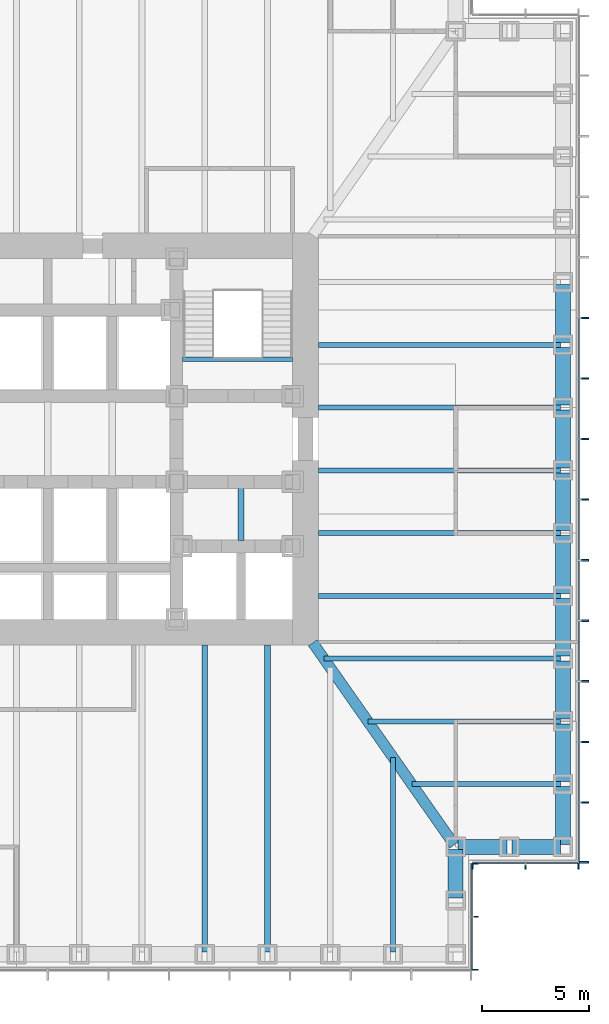
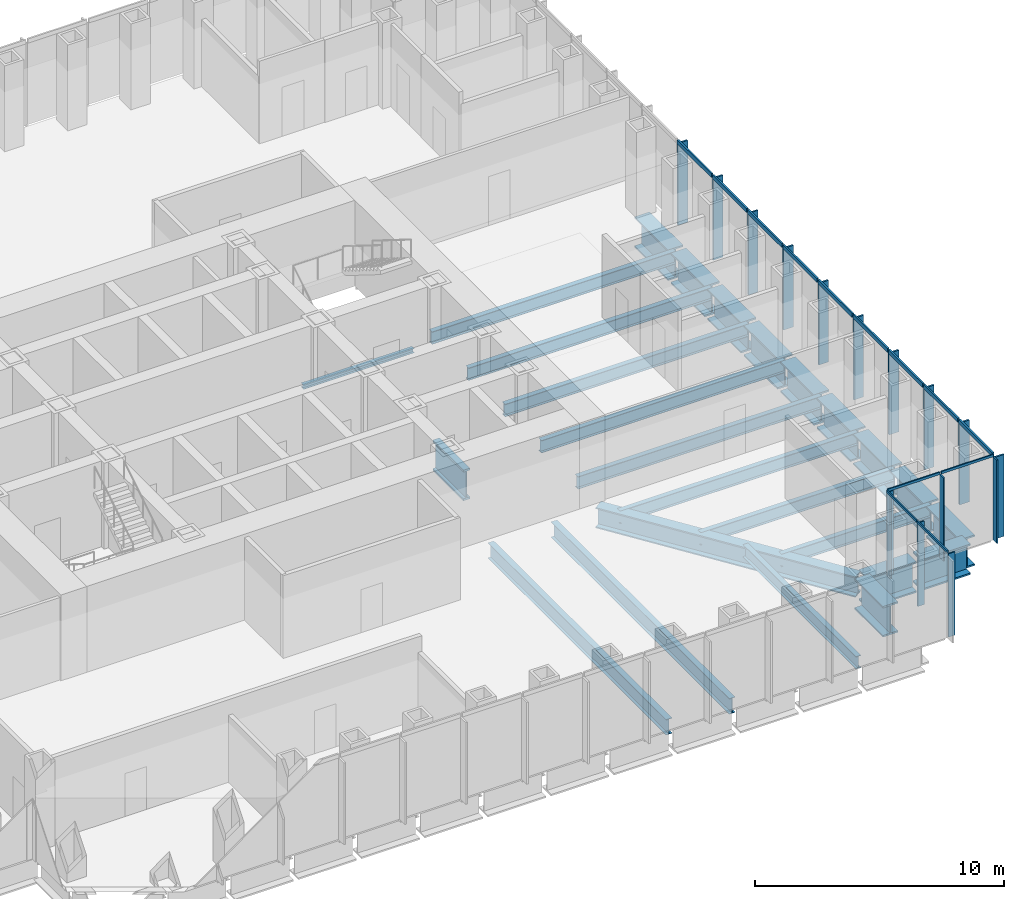
# One storey, part 4 of 17: 29 members, 26 beams, 3 elements without a shape of their own.
"""IFC4 building model written with IfcOpenShell, lengths in metres."""

from ifc_helpers import new_model, si_unit, direction, frame, origin, origin_2d, place, context, subcontext, project, spatial, rectangle, i_section, extrude, material, material_profile, profile_set, type_object, element, aggregate, save


model = new_model("IFC4")

# Units and contexts
model_context = context("Model", 3, precision=1e-05, world=origin(), true_north=direction((0.0, 1.0)))
body_context = subcontext(model_context, "Body", "Model", "MODEL_VIEW")
ifc_project = project(units=[si_unit("LENGTHUNIT", "METRE"), si_unit("AREAUNIT", "SQUARE_METRE"), si_unit("VOLUMEUNIT", "CUBIC_METRE"), si_unit("PLANEANGLEUNIT", "RADIAN"), si_unit("MASSUNIT", "GRAM", prefix="KILO")], contexts=[model_context])

# Site, building, storey
site_placement = place(None, origin())
site = spatial("IfcSite", under=ifc_project, at=site_placement, CompositionType="ELEMENT")
building_placement = place(site_placement, origin())
building = spatial("IfcBuilding", under=site, at=building_placement, Name="Daluyong Arena Tower", CompositionType="ELEMENT")
storey_placement = place(building_placement, frame((0.0, 0.0, 60.10009765625)))
storey = spatial("IfcBuildingStorey", under=building, at=storey_placement, Name="L12", CompositionType="ELEMENT", Elevation=60.10009765625)

# Curtain wall, members
ifc_material_1 = material(Name="Bronze anodised aluminium and glass", Category="aluminium")
curtain_wall_type_1 = type_object("IfcCurtainWallType", Name="Curtain wall CW1", PredefinedType="USERDEFINED", material=ifc_material_1)
curtain_wall_1_placement = place(storey_placement, origin())
curtain_wall_1 = element("IfcCurtainWall", 1, at=curtain_wall_1_placement, inside=storey, type_object=curtain_wall_type_1, Name="curtain wall L12 E", ObjectType="UNITISED CURTAIN WALL", PredefinedType="USERDEFINED")
ifc_material_2 = material(Name="Bronze anodised aluminium fin", Category="aluminium")
ifc_material_profile_1 = material_profile(ifc_material_2, rectangle(XDim=0.449951171875, YDim=0.080078125, at=origin_2d()))
ifc_profile_set_1 = profile_set([ifc_material_profile_1], Name="Bronze anodised aluminium fin")
member_type_1 = type_object("IfcMemberType", Name="CW1 bronze fin 450x80", PredefinedType="MULLION", material=ifc_profile_set_1)
member_1_placement = place(storey_placement, frame((80.97509765625, 60.2900390625, 0.0), z_axis=(0.0, 0.0, 1.0), x_axis=(-1.0, 0.0, 0.0)))
member_1 = element("IfcMember", 2, at=member_1_placement, type_object=member_type_1, Name="curtain wall L12 E fin 1", PredefinedType="MULLION", context=body_context, shape_type="SweptSolid", body=[
    extrude(rectangle(XDim=0.449951171875, YDim=0.080078125, at=origin_2d()), origin(), (0.0, 0.0, 1.0), 4.0),
])
member_2_placement = place(storey_placement, frame((80.97509765625, 63.071533203125, 0.0), z_axis=(0.0, 0.0, 1.0), x_axis=(-1.0, 0.0, 0.0)))
member_2 = element("IfcMember", 3, at=member_2_placement, type_object=member_type_1, Name="curtain wall L12 E fin 2", PredefinedType="MULLION", context=body_context, shape_type="SweptSolid", body=[
    extrude(rectangle(XDim=0.449951171875, YDim=0.080078125, at=origin_2d()), origin(), (0.0, 0.0, 1.0), 4.0),
])
member_3_placement = place(storey_placement, frame((80.97509765625, 65.892822265625, 0.0), z_axis=(0.0, 0.0, 1.0), x_axis=(-1.0, 0.0, 0.0)))
member_3 = element("IfcMember", 4, at=member_3_placement, type_object=member_type_1, Name="curtain wall L12 E fin 3", PredefinedType="MULLION", context=body_context, shape_type="SweptSolid", body=[
    extrude(rectangle(XDim=0.449951171875, YDim=0.080078125, at=origin_2d()), origin(), (0.0, 0.0, 1.0), 4.0),
])
member_4_placement = place(storey_placement, frame((80.97509765625, 68.71435546875, 0.0), z_axis=(0.0, 0.0, 1.0), x_axis=(-1.0, 0.0, 0.0)))
member_4 = element("IfcMember", 5, at=member_4_placement, type_object=member_type_1, Name="curtain wall L12 E fin 4", PredefinedType="MULLION", context=body_context, shape_type="SweptSolid", body=[
    extrude(rectangle(XDim=0.449951171875, YDim=0.080078125, at=origin_2d()), origin(), (0.0, 0.0, 1.0), 4.0),
])
member_5_placement = place(storey_placement, frame((80.97509765625, 71.53564453125, 0.0), z_axis=(0.0, 0.0, 1.0), x_axis=(-1.0, 0.0, 0.0)))
member_5 = element("IfcMember", 6, at=member_5_placement, type_object=member_type_1, Name="curtain wall L12 E fin 5", PredefinedType="MULLION", context=body_context, shape_type="SweptSolid", body=[
    extrude(rectangle(XDim=0.449951171875, YDim=0.080078125, at=origin_2d()), origin(), (0.0, 0.0, 1.0), 4.0),
])
member_6_placement = place(storey_placement, frame((80.97509765625, 74.357177734375, 0.0), z_axis=(0.0, 0.0, 1.0), x_axis=(-1.0, 0.0, 0.0)))
member_6 = element("IfcMember", 7, at=member_6_placement, type_object=member_type_1, Name="curtain wall L12 E fin 6", PredefinedType="MULLION", context=body_context, shape_type="SweptSolid", body=[
    extrude(rectangle(XDim=0.449951171875, YDim=0.080078125, at=origin_2d()), origin(), (0.0, 0.0, 1.0), 4.0),
])
member_7_placement = place(storey_placement, frame((80.97509765625, 77.178466796875, 0.0), z_axis=(0.0, 0.0, 1.0), x_axis=(-1.0, 0.0, 0.0)))
member_7 = element("IfcMember", 8, at=member_7_placement, type_object=member_type_1, Name="curtain wall L12 E fin 7", PredefinedType="MULLION", context=body_context, shape_type="SweptSolid", body=[
    extrude(rectangle(XDim=0.449951171875, YDim=0.080078125, at=origin_2d()), origin(), (0.0, 0.0, 1.0), 4.0),
])
member_8_placement = place(storey_placement, frame((80.97509765625, 80.0, 0.0), z_axis=(0.0, 0.0, 1.0), x_axis=(-1.0, 0.0, 0.0)))
member_8 = element("IfcMember", 9, at=member_8_placement, type_object=member_type_1, Name="curtain wall L12 E fin 8", PredefinedType="MULLION", context=body_context, shape_type="SweptSolid", body=[
    extrude(rectangle(XDim=0.449951171875, YDim=0.080078125, at=origin_2d()), origin(), (0.0, 0.0, 1.0), 4.0),
])
member_9_placement = place(storey_placement, frame((80.97509765625, 82.821533203125, 0.0), z_axis=(0.0, 0.0, 1.0), x_axis=(-1.0, 0.0, 0.0)))
member_9 = element("IfcMember", 10, at=member_9_placement, type_object=member_type_1, Name="curtain wall L12 E fin 9", PredefinedType="MULLION", context=body_context, shape_type="SweptSolid", body=[
    extrude(rectangle(XDim=0.449951171875, YDim=0.080078125, at=origin_2d()), origin(), (0.0, 0.0, 1.0), 4.0),
])
member_10_placement = place(storey_placement, frame((80.97509765625, 85.642822265625, 0.0), z_axis=(0.0, 0.0, 1.0), x_axis=(-1.0, 0.0, 0.0)))
member_10 = element("IfcMember", 11, at=member_10_placement, type_object=member_type_1, Name="curtain wall L12 E fin 10", PredefinedType="MULLION", context=body_context, shape_type="SweptSolid", body=[
    extrude(rectangle(XDim=0.449951171875, YDim=0.080078125, at=origin_2d()), origin(), (0.0, 0.0, 1.0), 4.0),
])
ifc_material_3 = material(Name="Bronze anodised aluminium", Category="aluminium")
ifc_material_profile_2 = material_profile(ifc_material_3, rectangle(XDim=0.080078125, YDim=0.199951171875, at=origin_2d()))
ifc_profile_set_2 = profile_set([ifc_material_profile_2], Name="Bronze anodised aluminium")
member_type_2 = type_object("IfcMemberType", Name="CW1 stack transom 200x80", PredefinedType="USERDEFINED", material=ifc_profile_set_2)
member_11_placement = place(storey_placement, frame((80.75, 60.330078125, 4.099853515625), z_axis=(0.0, 1.0, 0.0), x_axis=(-1.0, 0.0, 0.0)))
member_11 = element("IfcMember", 12, at=member_11_placement, type_object=member_type_2, Name="curtain wall L12 E transom 1", ObjectType="TRANSOM", PredefinedType="USERDEFINED", context=body_context, shape_type="SweptSolid", body=[
    extrude(rectangle(XDim=0.080078125, YDim=0.199951171875, at=origin_2d()), origin(), (0.0, 0.0, 1.0), 2.701416015625),
])
member_12_placement = place(storey_placement, frame((80.75, 63.111328125, 4.099853515625), z_axis=(0.0, 1.0, 0.0), x_axis=(-1.0, 0.0, 0.0)))
member_12 = element("IfcMember", 13, at=member_12_placement, type_object=member_type_2, Name="curtain wall L12 E transom 2", ObjectType="TRANSOM", PredefinedType="USERDEFINED", context=body_context, shape_type="SweptSolid", body=[
    extrude(rectangle(XDim=0.080078125, YDim=0.199951171875, at=origin_2d()), origin(), (0.0, 0.0, 1.0), 2.741455078125),
])
member_13_placement = place(storey_placement, frame((80.75, 65.932861328125, 4.099853515625), z_axis=(0.0, 1.0, 0.0), x_axis=(-1.0, 0.0, 0.0)))
member_13 = element("IfcMember", 14, at=member_13_placement, type_object=member_type_2, Name="curtain wall L12 E transom 3", ObjectType="TRANSOM", PredefinedType="USERDEFINED", context=body_context, shape_type="SweptSolid", body=[
    extrude(rectangle(XDim=0.080078125, YDim=0.199951171875, at=origin_2d()), origin(), (0.0, 0.0, 1.0), 2.741455078125),
])
member_14_placement = place(storey_placement, frame((80.75, 68.75439453125, 4.099853515625), z_axis=(0.0, 1.0, 0.0), x_axis=(-1.0, 0.0, 0.0)))
member_14 = element("IfcMember", 15, at=member_14_placement, type_object=member_type_2, Name="curtain wall L12 E transom 4", ObjectType="TRANSOM", PredefinedType="USERDEFINED", context=body_context, shape_type="SweptSolid", body=[
    extrude(rectangle(XDim=0.080078125, YDim=0.199951171875, at=origin_2d()), origin(), (0.0, 0.0, 1.0), 2.7412109375),
])
member_15_placement = place(storey_placement, frame((80.75, 71.57568359375, 4.099853515625), z_axis=(0.0, 1.0, 0.0), x_axis=(-1.0, 0.0, 0.0)))
member_15 = element("IfcMember", 16, at=member_15_placement, type_object=member_type_2, Name="curtain wall L12 E transom 5", ObjectType="TRANSOM", PredefinedType="USERDEFINED", context=body_context, shape_type="SweptSolid", body=[
    extrude(rectangle(XDim=0.080078125, YDim=0.199951171875, at=origin_2d()), origin(), (0.0, 0.0, 1.0), 2.741455078125),
])
member_16_placement = place(storey_placement, frame((80.75, 74.397216796875, 4.099853515625), z_axis=(0.0, 1.0, 0.0), x_axis=(-1.0, 0.0, 0.0)))
member_16 = element("IfcMember", 17, at=member_16_placement, type_object=member_type_2, Name="curtain wall L12 E transom 6", ObjectType="TRANSOM", PredefinedType="USERDEFINED", context=body_context, shape_type="SweptSolid", body=[
    extrude(rectangle(XDim=0.080078125, YDim=0.199951171875, at=origin_2d()), origin(), (0.0, 0.0, 1.0), 2.741455078125),
])
member_17_placement = place(storey_placement, frame((80.75, 77.218505859375, 4.099853515625), z_axis=(0.0, 1.0, 0.0), x_axis=(-1.0, 0.0, 0.0)))
member_17 = element("IfcMember", 18, at=member_17_placement, type_object=member_type_2, Name="curtain wall L12 E transom 7", ObjectType="TRANSOM", PredefinedType="USERDEFINED", context=body_context, shape_type="SweptSolid", body=[
    extrude(rectangle(XDim=0.080078125, YDim=0.199951171875, at=origin_2d()), origin(), (0.0, 0.0, 1.0), 2.741455078125),
])
member_18_placement = place(storey_placement, frame((80.75, 80.0400390625, 4.099853515625), z_axis=(0.0, 1.0, 0.0), x_axis=(-1.0, 0.0, 0.0)))
member_18 = element("IfcMember", 19, at=member_18_placement, type_object=member_type_2, Name="curtain wall L12 E transom 8", ObjectType="TRANSOM", PredefinedType="USERDEFINED", context=body_context, shape_type="SweptSolid", body=[
    extrude(rectangle(XDim=0.080078125, YDim=0.199951171875, at=origin_2d()), origin(), (0.0, 0.0, 1.0), 2.741455078125),
])
member_19_placement = place(storey_placement, frame((80.75, 82.861328125, 4.099853515625), z_axis=(0.0, 1.0, 0.0), x_axis=(-1.0, 0.0, 0.0)))
member_19 = element("IfcMember", 20, at=member_19_placement, type_object=member_type_2, Name="curtain wall L12 E transom 9", ObjectType="TRANSOM", PredefinedType="USERDEFINED", context=body_context, shape_type="SweptSolid", body=[
    extrude(rectangle(XDim=0.080078125, YDim=0.199951171875, at=origin_2d()), origin(), (0.0, 0.0, 1.0), 2.741455078125),
])
aggregate(curtain_wall_1, [member_1, member_2, member_3, member_4, member_5, member_6, member_7, member_8, member_9, member_10, member_11, member_12, member_13, member_14, member_15, member_16, member_17, member_18, member_19])

ifc_material_4 = material(Name="Bronze anodised aluminium and glass", Category="aluminium")
curtain_wall_type_2 = type_object("IfcCurtainWallType", Name="Curtain wall CW7", PredefinedType="USERDEFINED", material=ifc_material_4)
curtain_wall_2_placement = place(storey_placement, origin())
curtain_wall_2 = element("IfcCurtainWall", 21, at=curtain_wall_2_placement, inside=storey, type_object=curtain_wall_type_2, Name="curtain wall L12 SE-E", ObjectType="UNITISED CURTAIN WALL", PredefinedType="USERDEFINED")
ifc_material_5 = material(Name="Bronze anodised aluminium fin", Category="aluminium")
ifc_material_profile_3 = material_profile(ifc_material_5, rectangle(XDim=0.300048828125, YDim=0.06005859375, at=origin_2d()))
ifc_profile_set_3 = profile_set([ifc_material_profile_3], Name="Bronze anodised aluminium fin")
member_type_3 = type_object("IfcMemberType", Name="CW7 bronze fin 300x60", PredefinedType="MULLION", material=ifc_profile_set_3)
member_20_placement = place(storey_placement, frame((75.89990234375, 55.280029296875, 0.0), z_axis=(0.0, 0.0, 1.0), x_axis=(-1.0, 0.0, 0.0)))
member_20 = element("IfcMember", 22, at=member_20_placement, type_object=member_type_3, Name="curtain wall L12 SE-E fin 1", PredefinedType="MULLION", context=body_context, shape_type="SweptSolid", body=[
    extrude(rectangle(XDim=0.300048828125, YDim=0.06005859375, at=origin_2d()), origin(), (0.0, 0.0, 1.0), 4.079833984375),
])
member_21_placement = place(storey_placement, frame((75.89990234375, 57.75, 0.0), z_axis=(0.0, 0.0, 1.0), x_axis=(-1.0, 0.0, 0.0)))
member_21 = element("IfcMember", 23, at=member_21_placement, type_object=member_type_3, Name="curtain wall L12 SE-E fin 2", PredefinedType="MULLION", context=body_context, shape_type="SweptSolid", body=[
    extrude(rectangle(XDim=0.300048828125, YDim=0.06005859375, at=origin_2d()), origin(), (0.0, 0.0, 1.0), 4.079833984375),
])
member_22_placement = place(storey_placement, frame((75.89990234375, 60.219970703125, 0.0), z_axis=(0.0, 0.0, 1.0), x_axis=(-1.0, 0.0, 0.0)))
member_22 = element("IfcMember", 24, at=member_22_placement, type_object=member_type_3, Name="curtain wall L12 SE-E fin 3", PredefinedType="MULLION", context=body_context, shape_type="SweptSolid", body=[
    extrude(rectangle(XDim=0.300048828125, YDim=0.06005859375, at=origin_2d()), origin(), (0.0, 0.0, 1.0), 4.079833984375),
])

curtain_wall_3_placement = place(storey_placement, origin())
curtain_wall_3 = element("IfcCurtainWall", 25, at=curtain_wall_3_placement, inside=storey, type_object=curtain_wall_type_2, Name="curtain wall L12 SE-S", ObjectType="UNITISED CURTAIN WALL", PredefinedType="USERDEFINED")
member_23_placement = place(storey_placement, frame((75.780029296875, 60.10009765625, 0.0), z_axis=(0.0, 0.0, 1.0), x_axis=(0.0, 1.0, 0.0)))
member_23 = element("IfcMember", 26, at=member_23_placement, type_object=member_type_3, Name="curtain wall L12 SE-S fin 1", PredefinedType="MULLION", context=body_context, shape_type="SweptSolid", body=[
    extrude(rectangle(XDim=0.300048828125, YDim=0.06005859375, at=origin_2d()), origin(), (0.0, 0.0, 1.0), 4.079833984375),
])
member_24_placement = place(storey_placement, frame((78.25, 60.10009765625, 0.0), z_axis=(0.0, 0.0, 1.0), x_axis=(0.0, 1.0, 0.0)))
member_24 = element("IfcMember", 27, at=member_24_placement, type_object=member_type_3, Name="curtain wall L12 SE-S fin 2", PredefinedType="MULLION", context=body_context, shape_type="SweptSolid", body=[
    extrude(rectangle(XDim=0.300048828125, YDim=0.06005859375, at=origin_2d()), origin(), (0.0, 0.0, 1.0), 4.079833984375),
])
member_25_placement = place(storey_placement, frame((80.719970703125, 60.10009765625, 0.0), z_axis=(0.0, 0.0, 1.0), x_axis=(0.0, 1.0, 0.0)))
member_25 = element("IfcMember", 28, at=member_25_placement, type_object=member_type_3, Name="curtain wall L12 SE-S fin 3", PredefinedType="MULLION", context=body_context, shape_type="SweptSolid", body=[
    extrude(rectangle(XDim=0.300048828125, YDim=0.06005859375, at=origin_2d()), origin(), (0.0, 0.0, 1.0), 4.079833984375),
])

# Member
ifc_material_6 = material(Name="Bronze anodised aluminium", Category="aluminium")
ifc_material_profile_4 = material_profile(ifc_material_6, rectangle(XDim=0.06005859375, YDim=0.1201171875, at=origin_2d()))
ifc_profile_set_4 = profile_set([ifc_material_profile_4], Name="Bronze anodised aluminium")
member_type_4 = type_object("IfcMemberType", Name="CW7 stack transom 120x60", PredefinedType="USERDEFINED", material=ifc_profile_set_4)
member_26_placement = place(storey_placement, frame((75.75, 55.31005859375, 4.139892578125), z_axis=(0.0, 1.0, 0.0), x_axis=(-1.0, 0.0, 0.0)))
member_26 = element("IfcMember", 29, at=member_26_placement, type_object=member_type_4, Name="curtain wall L12 SE-E transom 1", ObjectType="TRANSOM", PredefinedType="USERDEFINED", context=body_context, shape_type="SweptSolid", body=[
    extrude(rectangle(XDim=0.06005859375, YDim=0.1201171875, at=origin_2d()), origin(), (0.0, 0.0, 1.0), 2.409912109375),
])

member_27_placement = place(storey_placement, frame((75.75, 57.780029296875, 4.139892578125), z_axis=(0.0, 1.0, 0.0), x_axis=(-1.0, 0.0, 0.0)))
member_27 = element("IfcMember", 30, at=member_27_placement, type_object=member_type_4, Name="curtain wall L12 SE-E transom 2", ObjectType="TRANSOM", PredefinedType="USERDEFINED", context=body_context, shape_type="SweptSolid", body=[
    extrude(rectangle(XDim=0.06005859375, YDim=0.1201171875, at=origin_2d()), origin(), (0.0, 0.0, 1.0), 2.409912109375),
])

aggregate(curtain_wall_2, [member_20, member_21, member_22, member_26, member_27])

member_28_placement = place(storey_placement, frame((75.81005859375, 60.25, 4.139892578125), z_axis=(1.0, 0.0, 0.0), x_axis=(0.0, 1.0, 0.0)))
member_28 = element("IfcMember", 31, at=member_28_placement, type_object=member_type_4, Name="curtain wall L12 SE-S transom 1", ObjectType="TRANSOM", PredefinedType="USERDEFINED", context=body_context, shape_type="SweptSolid", body=[
    extrude(rectangle(XDim=0.06005859375, YDim=0.1201171875, at=origin_2d()), origin(), (0.0, 0.0, 1.0), 2.409912109375),
])

member_29_placement = place(storey_placement, frame((78.280029296875, 60.25, 4.139892578125), z_axis=(1.0, 0.0, 0.0), x_axis=(0.0, 1.0, 0.0)))
member_29 = element("IfcMember", 32, at=member_29_placement, type_object=member_type_4, Name="curtain wall L12 SE-S transom 2", ObjectType="TRANSOM", PredefinedType="USERDEFINED", context=body_context, shape_type="SweptSolid", body=[
    extrude(rectangle(XDim=0.06005859375, YDim=0.1201171875, at=origin_2d()), origin(), (0.0, 0.0, 1.0), 2.409912109375),
])

aggregate(curtain_wall_3, [member_23, member_24, member_25, member_28, member_29])

# Beams
ifc_material_7 = material(Name="Steel ASTM A572 Grade 50", Category="steel")
ifc_material_profile_5 = material_profile(ifc_material_7, i_section(OverallWidth=0.5, OverallDepth=1.0, WebThickness=0.03, FlangeThickness=0.06, at=origin_2d()))
ifc_profile_set_5 = profile_set([ifc_material_profile_5], Name="Steel ASTM A572 Grade 50")
beam_type_1 = type_object("IfcBeamType", Name="Corner girder TB1000X500", PredefinedType="BEAM", material=ifc_profile_set_5)
beam_1_placement = place(storey_placement, frame((74.93408203125, 61.09423828125, -0.66015625), z_axis=(-0.573466621875, 0.819228926244, 0.0), x_axis=(-0.819228926244, -0.573466621875, 0.0)))
element("IfcBeam", 33, at=beam_1_placement, inside=storey, type_object=beam_type_1, Name="corner girder DG2", PredefinedType="BEAM", context=body_context, shape_type="SweptSolid", body=[
    extrude(i_section(OverallWidth=0.5, OverallDepth=1.0, WebThickness=0.03, FlangeThickness=0.06, at=origin_2d()), origin(), (0.0, 0.0, 1.0), 11.49169921875),
])
ifc_material_8 = material(Name="Steel ASTM A992 Grade 50", Category="steel")
ifc_material_profile_6 = material_profile(ifc_material_8, i_section(OverallWidth=0.22900390625, OverallDepth=0.612060546875, WebThickness=0.011962890625, FlangeThickness=0.01953125, at=origin_2d()))
ifc_profile_set_6 = profile_set([ifc_material_profile_6], Name="Steel ASTM A992 Grade 50")
beam_type_2 = type_object("IfcBeamType", Name="Floor beam W24X84", PredefinedType="BEAM", material=ifc_profile_set_6)
beam_2_placement = place(storey_placement, frame((72.076904296875, 56.114990234375, -0.466064453125), z_axis=(0.0, 1.0, 0.0), x_axis=(-1.0, 0.0, 0.0)))
element("IfcBeam", 34, at=beam_2_placement, inside=storey, type_object=beam_type_2, Name="floor beam FB3", PredefinedType="BEAM", context=body_context, shape_type="SweptSolid", body=[
    extrude(i_section(OverallWidth=0.22900390625, OverallDepth=0.612060546875, WebThickness=0.011962890625, FlangeThickness=0.01953125, at=origin_2d()), origin(), (0.0, 0.0, 1.0), 9.060791015625),
])
beam_3_placement = place(storey_placement, frame((79.885009765625, 63.923095703125, -0.466064453125), z_axis=(-1.0, 0.0, 0.0), x_axis=(0.0, -1.0, 0.0)))
element("IfcBeam", 35, at=beam_3_placement, inside=storey, type_object=beam_type_2, Name="floor beam FB3", PredefinedType="BEAM", context=body_context, shape_type="SweptSolid", body=[
    extrude(i_section(OverallWidth=0.22900390625, OverallDepth=0.612060546875, WebThickness=0.011962890625, FlangeThickness=0.01953125, at=origin_2d()), origin(), (0.0, 0.0, 1.0), 6.93115234375),
])
beam_4_placement = place(storey_placement, frame((79.885009765625, 66.84619140625, -0.466064453125), z_axis=(-1.0, 0.0, 0.0), x_axis=(0.0, -1.0, 0.0)))
element("IfcBeam", 36, at=beam_4_placement, inside=storey, type_object=beam_type_2, Name="floor beam FB3", PredefinedType="BEAM", context=body_context, shape_type="SweptSolid", body=[
    extrude(i_section(OverallWidth=0.22900390625, OverallDepth=0.612060546875, WebThickness=0.011962890625, FlangeThickness=0.01953125, at=origin_2d()), origin(), (0.0, 0.0, 1.0), 8.977294921875),
])
beam_5_placement = place(storey_placement, frame((79.885009765625, 69.769287109375, -0.466064453125), z_axis=(-1.0, 0.0, 0.0), x_axis=(0.0, -1.0, 0.0)))
element("IfcBeam", 37, at=beam_5_placement, inside=storey, type_object=beam_type_2, Name="floor beam FB3", PredefinedType="BEAM", context=body_context, shape_type="SweptSolid", body=[
    extrude(i_section(OverallWidth=0.22900390625, OverallDepth=0.612060546875, WebThickness=0.011962890625, FlangeThickness=0.01953125, at=origin_2d()), origin(), (0.0, 0.0, 1.0), 11.0234375),
])
for number, where, z_axis, x_axis, name in (
    (38, (79.885009765625, 72.6923828125, -0.466064453125), (-1.0, 0.0, 0.0), (0.0, -1.0, 0.0), "floor beam FB3"),
    (39, (79.885009765625, 75.615478515625, -0.466064453125), (-1.0, 0.0, 0.0), (0.0, -1.0, 0.0), "floor beam FB3"),
    (40, (79.885009765625, 78.53857421875, -0.466064453125), (-1.0, 0.0, 0.0), (0.0, -1.0, 0.0), "floor beam FB3"),
    (41, (79.885009765625, 81.46142578125, -0.466064453125), (-1.0, 0.0, 0.0), (0.0, -1.0, 0.0), "floor beam FB3"),
    (42, (79.885009765625, 84.384521484375, -0.466064453125), (-1.0, 0.0, 0.0), (0.0, -1.0, 0.0), "floor beam FB3"),
):
    element("IfcBeam", number, at=place(storey_placement, frame(where, z_axis=z_axis, x_axis=x_axis)), inside=storey, type_object=beam_type_2, Name=name, PredefinedType="BEAM", context=body_context, shape_type="SweptSolid", body=[
        extrude(i_section(OverallWidth=0.22900390625, OverallDepth=0.612060546875, WebThickness=0.011962890625, FlangeThickness=0.01953125, at=origin_2d()), origin(), (0.0, 0.0, 1.0), 11.284912109375),
    ])
ifc_material_9 = material(Name="Steel ASTM A992 Grade 50", Category="steel")
ifc_material_profile_7 = material_profile(ifc_material_9, i_section(OverallWidth=0.2666015625, OverallDepth=0.761962890625, WebThickness=0.014404296875, FlangeThickness=0.021484375, at=origin_2d()))
ifc_profile_set_7 = profile_set([ifc_material_profile_7], Name="Steel ASTM A992 Grade 50")
beam_type_3 = type_object("IfcBeamType", Name="Floor beam W30X116", PredefinedType="BEAM", material=ifc_profile_set_7)
for number, where, z_axis, x_axis, name in (
    (43, (63.3076171875, 56.114990234375, -0.541015625), (0.0, 1.0, 0.0), (-1.0, 0.0, 0.0), "floor beam FB4"),
    (44, (66.230712890625, 56.114990234375, -0.541015625), (0.0, 1.0, 0.0), (-1.0, 0.0, 0.0), "floor beam FB4"),
):
    element("IfcBeam", number, at=place(storey_placement, frame(where, z_axis=z_axis, x_axis=x_axis)), inside=storey, type_object=beam_type_3, Name=name, PredefinedType="BEAM", context=body_context, shape_type="SweptSolid", body=[
        extrude(i_section(OverallWidth=0.2666015625, OverallDepth=0.761962890625, WebThickness=0.014404296875, FlangeThickness=0.021484375, at=origin_2d()), origin(), (0.0, 0.0, 1.0), 14.284912109375),
    ])
ifc_material_10 = material(Name="Steel ASTM A572 Grade 50", Category="steel")
ifc_material_profile_8 = material_profile(ifc_material_10, i_section(OverallWidth=0.300048828125, OverallDepth=1.5, WebThickness=0.04, FlangeThickness=0.1, at=origin_2d()))
ifc_profile_set_8 = profile_set([ifc_material_profile_8], Name="Steel ASTM A572 Grade 50")
beam_type_4 = type_object("IfcBeamType", Name="Lift divider beam PG1500X300", PredefinedType="BEAM", material=ifc_profile_set_8)
beam_6_placement = place(storey_placement, frame((65.0, 75.27490234375, -0.91015625), z_axis=(0.0, 1.0, 0.0), x_axis=(-1.0, 0.0, 0.0)))
element("IfcBeam", 45, at=beam_6_placement, inside=storey, type_object=beam_type_4, Name="lift divider beam DB2", PredefinedType="BEAM", context=body_context, shape_type="SweptSolid", body=[
    extrude(i_section(OverallWidth=0.300048828125, OverallDepth=1.5, WebThickness=0.04, FlangeThickness=0.1, at=origin_2d()), origin(), (0.0, 0.0, 1.0), 2.4501953125),
])
ifc_material_11 = material(Name="Steel ASTM A572 Grade 50", Category="steel")
ifc_material_profile_9 = material_profile(ifc_material_11, i_section(OverallWidth=0.699951171875, OverallDepth=1.5, WebThickness=0.04, FlangeThickness=0.08, at=origin_2d()))
ifc_profile_set_9 = profile_set([ifc_material_profile_9], Name="Steel ASTM A572 Grade 50")
beam_type_5 = type_object("IfcBeamType", Name="Spandrel Z1 PG1500X700", PredefinedType="SPANDREL", material=ifc_profile_set_9)
for number, where, z_axis, x_axis, name in (
    (46, (75.0, 58.614990234375, -0.91015625), (0.0, 1.0, 0.0), (-1.0, 0.0, 0.0), "spandrel z1 SB4"),
    (47, (75.114990234375, 61.0, -0.91015625), (1.0, 0.0, 0.0), (0.0, 1.0, 0.0), "spandrel z1 SB4"),
    (48, (77.614990234375, 61.0, -0.91015625), (1.0, 0.0, 0.0), (0.0, 1.0, 0.0), "spandrel z1 SB4"),
):
    element("IfcBeam", number, at=place(storey_placement, frame(where, z_axis=z_axis, x_axis=x_axis)), inside=storey, type_object=beam_type_5, Name=name, PredefinedType="SPANDREL", context=body_context, shape_type="SweptSolid", body=[
        extrude(i_section(OverallWidth=0.699951171875, OverallDepth=1.5, WebThickness=0.04, FlangeThickness=0.08, at=origin_2d()), origin(), (0.0, 0.0, 1.0), 2.27001953125),
    ])
for number, where, z_axis, x_axis, name in (
    (49, (80.0, 61.114990234375, -0.91015625), (0.0, 1.0, 0.0), (-1.0, 0.0, 0.0), "spandrel z1 SB4"),
    (50, (80.0, 64.0380859375, -0.91015625), (0.0, 1.0, 0.0), (-1.0, 0.0, 0.0), "spandrel z1 SB4"),
    (51, (80.0, 66.961181640625, -0.91015625), (0.0, 1.0, 0.0), (-1.0, 0.0, 0.0), "spandrel z1 SB4"),
    (52, (80.0, 69.88427734375, -0.91015625), (0.0, 1.0, 0.0), (-1.0, 0.0, 0.0), "spandrel z1 SB4"),
    (53, (80.0, 72.807373046875, -0.91015625), (0.0, 1.0, 0.0), (-1.0, 0.0, 0.0), "spandrel z1 SB4"),
    (54, (80.0, 75.73046875, -0.91015625), (0.0, 1.0, 0.0), (-1.0, 0.0, 0.0), "spandrel z1 SB4"),
):
    element("IfcBeam", number, at=place(storey_placement, frame(where, z_axis=z_axis, x_axis=x_axis)), inside=storey, type_object=beam_type_5, Name=name, PredefinedType="SPANDREL", context=body_context, shape_type="SweptSolid", body=[
        extrude(i_section(OverallWidth=0.699951171875, OverallDepth=1.5, WebThickness=0.04, FlangeThickness=0.08, at=origin_2d()), origin(), (0.0, 0.0, 1.0), 2.693115234375),
    ])
beam_7_placement = place(storey_placement, frame((80.0, 78.653564453125, -0.91015625), z_axis=(0.0, 1.0, 0.0), x_axis=(-1.0, 0.0, 0.0)))
element("IfcBeam", 55, at=beam_7_placement, inside=storey, type_object=beam_type_5, Name="spandrel z1 SB4", PredefinedType="SPANDREL", context=body_context, shape_type="SweptSolid", body=[
    extrude(i_section(OverallWidth=0.699951171875, OverallDepth=1.5, WebThickness=0.04, FlangeThickness=0.08, at=origin_2d()), origin(), (0.0, 0.0, 1.0), 2.69287109375),
])
for number, where, z_axis, x_axis, name in (
    (56, (80.0, 81.576416015625, -0.91015625), (0.0, 1.0, 0.0), (-1.0, 0.0, 0.0), "spandrel z1 SB4"),
    (57, (80.0, 84.49951171875, -0.91015625), (0.0, 1.0, 0.0), (-1.0, 0.0, 0.0), "spandrel z1 SB4"),
):
    element("IfcBeam", number, at=place(storey_placement, frame(where, z_axis=z_axis, x_axis=x_axis)), inside=storey, type_object=beam_type_5, Name=name, PredefinedType="SPANDREL", context=body_context, shape_type="SweptSolid", body=[
        extrude(i_section(OverallWidth=0.699951171875, OverallDepth=1.5, WebThickness=0.04, FlangeThickness=0.08, at=origin_2d()), origin(), (0.0, 0.0, 1.0), 2.693115234375),
    ])
ifc_material_12 = material(Name="Steel ASTM A992 Grade 50", Category="steel")
ifc_material_profile_10 = material_profile(ifc_material_12, i_section(OverallWidth=0.203125, OverallDepth=0.203125, WebThickness=0.00732421875, FlangeThickness=0.010986328125, at=origin_2d()))
ifc_profile_set_10 = profile_set([ifc_material_profile_10], Name="Steel ASTM A992 Grade 50")
beam_type_6 = type_object("IfcBeamType", Name="Stair landing beam W8X31", PredefinedType="BEAM", material=ifc_profile_set_10)
beam_8_placement = place(storey_placement, frame((62.27490234375, 83.723388671875, -0.26171875), z_axis=(1.0, 0.0, 0.0), x_axis=(0.0, 1.0, 0.0)))
element("IfcBeam", 58, at=beam_8_placement, inside=storey, type_object=beam_type_6, Name="exit stair B landing beam", PredefinedType="BEAM", context=body_context, shape_type="SweptSolid", body=[
    extrude(i_section(OverallWidth=0.203125, OverallDepth=0.203125, WebThickness=0.00732421875, FlangeThickness=0.010986328125, at=origin_2d()), origin(), (0.0, 0.0, 1.0), 5.125),
])

save(model, "model.ifc")
